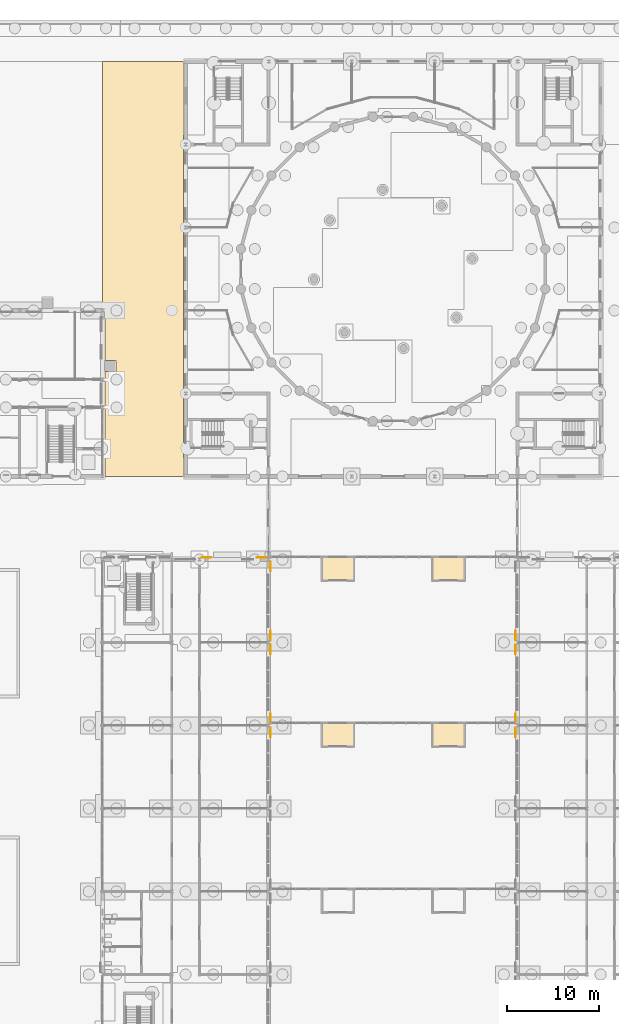
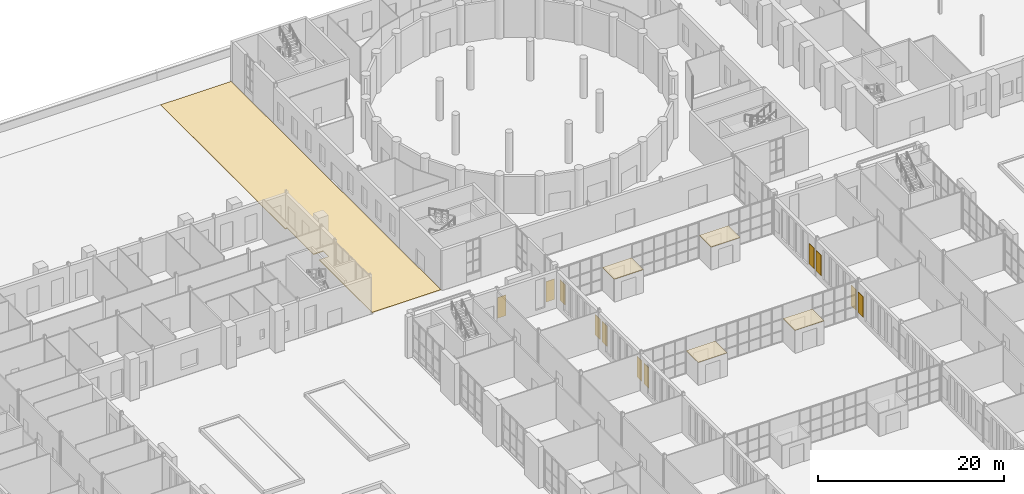
# One storey, part 143 of 168: 16 coverings.
"""IFC4 building model written with IfcOpenShell, lengths in metres."""

from ifc_helpers import new_model, si_unit, direction, frame, origin, place, context, subcontext, project, spatial, polyline, outline, extrude, material, layer, layer_set, type_object, element, save


model = new_model("IFC4")

# Units and contexts
model_context = context("Model", 3, precision=1e-05, world=origin(), true_north=direction((0.0, 1.0)))
body_context = subcontext(model_context, "Body", "Model", "MODEL_VIEW")
ifc_project = project(units=[si_unit("LENGTHUNIT", "METRE"), si_unit("AREAUNIT", "SQUARE_METRE"), si_unit("VOLUMEUNIT", "CUBIC_METRE"), si_unit("PLANEANGLEUNIT", "RADIAN"), si_unit("MASSUNIT", "GRAM", prefix="KILO")], contexts=[model_context])

# Site, building, storey
site_placement = place(None, origin())
site = spatial("IfcSite", under=ifc_project, at=site_placement, CompositionType="ELEMENT")
building_placement = place(site_placement, origin())
building = spatial("IfcBuilding", under=site, at=building_placement, Name="Golden Quay Civic Hall", CompositionType="ELEMENT")
storey_placement = place(building_placement, origin())
storey = spatial("IfcBuildingStorey", under=building, at=storey_placement, Name="L00", CompositionType="ELEMENT", Elevation=0.0)

# Coverings
ifc_material_1 = material(Name="Concrete block paving", Category="concrete")
ifc_layer_1 = layer(ifc_material_1, 0.10009765625)
ifc_layer_set_1 = layer_set([ifc_layer_1], Name="Concrete block paving 100")
covering_type_1 = type_object("IfcCoveringType", Name="Concrete block paving 100", PredefinedType="FLOORING", material=ifc_layer_set_1)
covering_1_placement = place(storey_placement, frame((0.0, 0.0, -0.10009765625)))
element("IfcCovering", 1, at=covering_1_placement, inside=storey, type_object=covering_type_1, Name="West Lane paving", PredefinedType="FLOORING", context=body_context, shape_type="SweptSolid", body=[
    extrude(outline(polyline([(54.0, 108.0), (62.75, 108.0), (62.75, 107.800048828125), (62.75, 105.199951171875), (62.75, 103.39990234375), (62.75, 99.0), (62.75, 72.0), (62.75, 63.199951171875), (62.75, 63.0), (54.25, 63.0), (54.25, 70.64990234375), (54.25, 73.35009765625), (54.25, 73.64990234375), (54.25, 74.39990234375), (55.449951171875, 74.39990234375), (55.449951171875, 75.60009765625), (54.25, 75.60009765625), (54.25, 80.85009765625), (54.25, 81.25), (54.0, 81.25), (54.0, 108.0)])), origin(), (0.0, 0.0, 1.0), 0.10009765625),
])
ifc_material_2 = material(Name="Fire-resisting board")
ifc_layer_2 = layer(ifc_material_2, 0.030029296875)
ifc_layer_set_2 = layer_set([ifc_layer_2], Name="Fire lobby ceiling lining 30")
covering_type_2 = type_object("IfcCoveringType", Name="Fire lobby ceiling lining 30", PredefinedType="CEILING", material=ifc_layer_set_2)
covering_2_placement = place(storey_placement, frame((0.0, 0.0, 3.0)))
element("IfcCovering", 2, at=covering_2_placement, inside=storey, type_object=covering_type_2, Name="Fire lobby ceiling 2", PredefinedType="CEILING", context=body_context, shape_type="SweptSolid", body=[
    extrude(outline(polyline([(81.300048828125, 33.64501953125), (81.300048828125, 36.195068359375), (77.699951171875, 36.195068359375), (77.699951171875, 33.64501953125), (81.300048828125, 33.64501953125)])), origin(), (0.0, 0.0, 1.0), 0.030029296875),
])
covering_3_placement = place(storey_placement, frame((0.0, 0.0, 3.0)))
element("IfcCovering", 3, at=covering_3_placement, inside=storey, type_object=covering_type_2, Name="Fire lobby ceiling 2", PredefinedType="CEILING", context=body_context, shape_type="SweptSolid", body=[
    extrude(outline(polyline([(93.300048828125, 33.64501953125), (93.300048828125, 36.195068359375), (89.699951171875, 36.195068359375), (89.699951171875, 33.64501953125), (93.300048828125, 33.64501953125)])), origin(), (0.0, 0.0, 1.0), 0.030029296875),
])
covering_4_placement = place(storey_placement, frame((0.0, 0.0, 3.0)))
element("IfcCovering", 4, at=covering_4_placement, inside=storey, type_object=covering_type_2, Name="Fire lobby ceiling 3", PredefinedType="CEILING", context=body_context, shape_type="SweptSolid", body=[
    extrude(outline(polyline([(81.300048828125, 51.64501953125), (81.300048828125, 54.195068359375), (77.699951171875, 54.195068359375), (77.699951171875, 51.64501953125), (81.300048828125, 51.64501953125)])), origin(), (0.0, 0.0, 1.0), 0.030029296875),
])
covering_5_placement = place(storey_placement, frame((0.0, 0.0, 3.0)))
element("IfcCovering", 5, at=covering_5_placement, inside=storey, type_object=covering_type_2, Name="Fire lobby ceiling 3", PredefinedType="CEILING", context=body_context, shape_type="SweptSolid", body=[
    extrude(outline(polyline([(93.300048828125, 51.64501953125), (93.300048828125, 54.195068359375), (89.699951171875, 54.195068359375), (89.699951171875, 51.64501953125), (93.300048828125, 51.64501953125)])), origin(), (0.0, 0.0, 1.0), 0.030029296875),
])
ifc_material_3 = material(Name="Terracotta cladding, golden glaze", Category="masonry")
ifc_layer_3 = layer(ifc_material_3, 0.050048828125)
ifc_layer_set_3 = layer_set([ifc_layer_3], Name="Terracotta solid panel 1050 x 2700 x 50")
covering_type_3 = type_object("IfcCoveringType", Name="Terracotta solid panel 1050 x 2700 x 50", PredefinedType="CLADDING", material=ifc_layer_set_3)
covering_6_placement = place(storey_placement, frame((0.0, 0.0, 0.89990234375)))
element("IfcCovering", 6, at=covering_6_placement, inside=storey, type_object=covering_type_3, Name="Terracotta solid panel 1050 x 2700 x 50 L00 28", PredefinedType="CLADDING", context=body_context, shape_type="SweptSolid", body=[
    extrude(outline(polyline([(64.72509765625, 54.199951171875), (65.77490234375, 54.199951171875), (65.77490234375, 54.25), (64.72509765625, 54.25), (64.72509765625, 54.199951171875)])), origin(), (0.0, 0.0, 1.0), 2.7001953125),
])
covering_7_placement = place(storey_placement, frame((0.0, 0.0, 0.89990234375)))
element("IfcCovering", 7, at=covering_7_placement, inside=storey, type_object=covering_type_3, Name="Terracotta solid panel 1050 x 2700 x 50 L00 29", PredefinedType="CLADDING", context=body_context, shape_type="SweptSolid", body=[
    extrude(outline(polyline([(70.72509765625, 54.199951171875), (71.77490234375, 54.199951171875), (71.77490234375, 54.25), (70.72509765625, 54.25), (70.72509765625, 54.199951171875)])), origin(), (0.0, 0.0, 1.0), 2.7001953125),
])
covering_8_placement = place(storey_placement, frame((0.0, 0.0, 0.89990234375)))
element("IfcCovering", 8, at=covering_8_placement, inside=storey, type_object=covering_type_3, Name="Terracotta solid panel 1050 x 2700 x 50 L00 37", PredefinedType="CLADDING", context=body_context, shape_type="SweptSolid", body=[
    extrude(outline(polyline([(72.199951171875, 34.72509765625), (72.199951171875, 35.77490234375), (72.25, 35.77490234375), (72.25, 34.72509765625), (72.199951171875, 34.72509765625)])), origin(), (0.0, 0.0, 1.0), 2.7001953125),
])
covering_9_placement = place(storey_placement, frame((0.0, 0.0, 0.89990234375)))
element("IfcCovering", 9, at=covering_9_placement, inside=storey, type_object=covering_type_3, Name="Terracotta solid panel 1050 x 2700 x 50 L00 38", PredefinedType="CLADDING", context=body_context, shape_type="SweptSolid", body=[
    extrude(outline(polyline([(72.199951171875, 36.22509765625), (72.199951171875, 37.27490234375), (72.25, 37.27490234375), (72.25, 36.22509765625), (72.199951171875, 36.22509765625)])), origin(), (0.0, 0.0, 1.0), 2.7001953125),
])
covering_10_placement = place(storey_placement, frame((0.0, 0.0, 0.89990234375)))
element("IfcCovering", 10, at=covering_10_placement, inside=storey, type_object=covering_type_3, Name="Terracotta solid panel 1050 x 2700 x 50 L00 39", PredefinedType="CLADDING", context=body_context, shape_type="SweptSolid", body=[
    extrude(outline(polyline([(72.199951171875, 43.72509765625), (72.199951171875, 44.77490234375), (72.25, 44.77490234375), (72.25, 43.72509765625), (72.199951171875, 43.72509765625)])), origin(), (0.0, 0.0, 1.0), 2.7001953125),
])
covering_11_placement = place(storey_placement, frame((0.0, 0.0, 0.89990234375)))
element("IfcCovering", 11, at=covering_11_placement, inside=storey, type_object=covering_type_3, Name="Terracotta solid panel 1050 x 2700 x 50 L00 40", PredefinedType="CLADDING", context=body_context, shape_type="SweptSolid", body=[
    extrude(outline(polyline([(72.199951171875, 45.22509765625), (72.199951171875, 46.27490234375), (72.25, 46.27490234375), (72.25, 45.22509765625), (72.199951171875, 45.22509765625)])), origin(), (0.0, 0.0, 1.0), 2.7001953125),
])
covering_12_placement = place(storey_placement, frame((0.0, 0.0, 0.89990234375)))
element("IfcCovering", 12, at=covering_12_placement, inside=storey, type_object=covering_type_3, Name="Terracotta solid panel 1050 x 2700 x 50 L00 41", PredefinedType="CLADDING", context=body_context, shape_type="SweptSolid", body=[
    extrude(outline(polyline([(72.199951171875, 52.72509765625), (72.199951171875, 53.77490234375), (72.25, 53.77490234375), (72.25, 52.72509765625), (72.199951171875, 52.72509765625)])), origin(), (0.0, 0.0, 1.0), 2.7001953125),
])
covering_13_placement = place(storey_placement, frame((0.0, 0.0, 0.89990234375)))
element("IfcCovering", 13, at=covering_13_placement, inside=storey, type_object=covering_type_3, Name="Terracotta solid panel 1050 x 2700 x 50 L00 55", PredefinedType="CLADDING", context=body_context, shape_type="SweptSolid", body=[
    extrude(outline(polyline([(98.800048828125, 34.72509765625), (98.800048828125, 35.77490234375), (98.75, 35.77490234375), (98.75, 34.72509765625), (98.800048828125, 34.72509765625)])), origin(), (0.0, 0.0, 1.0), 2.7001953125),
])
covering_14_placement = place(storey_placement, frame((0.0, 0.0, 0.89990234375)))
element("IfcCovering", 14, at=covering_14_placement, inside=storey, type_object=covering_type_3, Name="Terracotta solid panel 1050 x 2700 x 50 L00 56", PredefinedType="CLADDING", context=body_context, shape_type="SweptSolid", body=[
    extrude(outline(polyline([(98.800048828125, 36.22509765625), (98.800048828125, 37.27490234375), (98.75, 37.27490234375), (98.75, 36.22509765625), (98.800048828125, 36.22509765625)])), origin(), (0.0, 0.0, 1.0), 2.7001953125),
])
covering_15_placement = place(storey_placement, frame((0.0, 0.0, 0.89990234375)))
element("IfcCovering", 15, at=covering_15_placement, inside=storey, type_object=covering_type_3, Name="Terracotta solid panel 1050 x 2700 x 50 L00 57", PredefinedType="CLADDING", context=body_context, shape_type="SweptSolid", body=[
    extrude(outline(polyline([(98.800048828125, 43.72509765625), (98.800048828125, 44.77490234375), (98.75, 44.77490234375), (98.75, 43.72509765625), (98.800048828125, 43.72509765625)])), origin(), (0.0, 0.0, 1.0), 2.7001953125),
])
covering_16_placement = place(storey_placement, frame((0.0, 0.0, 0.89990234375)))
element("IfcCovering", 16, at=covering_16_placement, inside=storey, type_object=covering_type_3, Name="Terracotta solid panel 1050 x 2700 x 50 L00 58", PredefinedType="CLADDING", context=body_context, shape_type="SweptSolid", body=[
    extrude(outline(polyline([(98.800048828125, 45.22509765625), (98.800048828125, 46.27490234375), (98.75, 46.27490234375), (98.75, 45.22509765625), (98.800048828125, 45.22509765625)])), origin(), (0.0, 0.0, 1.0), 2.7001953125),
])

save(model, "model.ifc")
